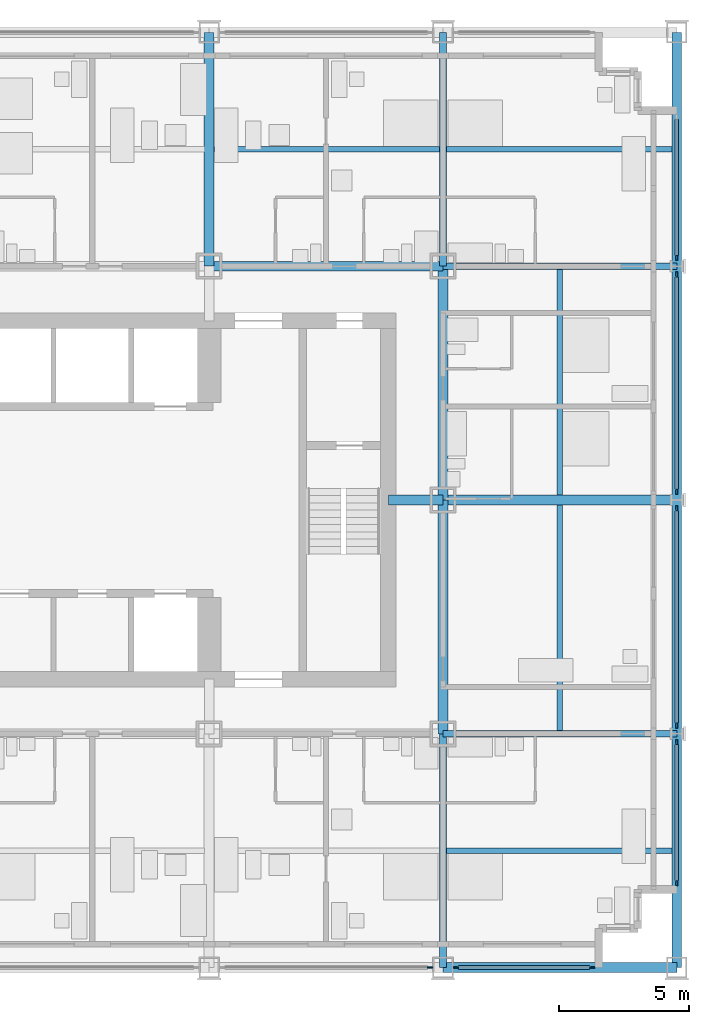
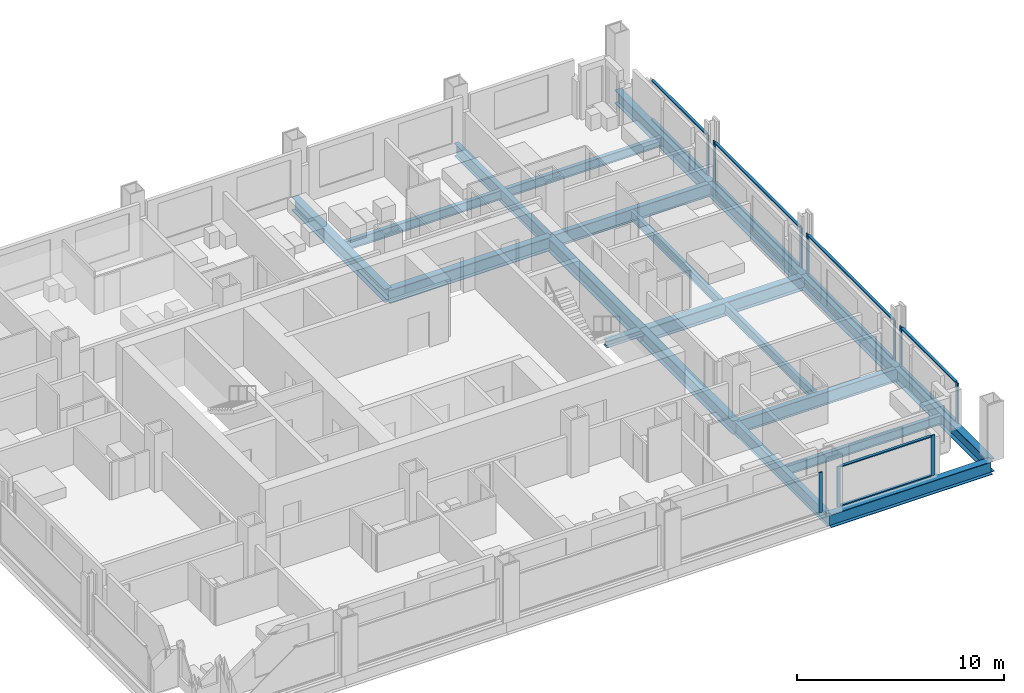
# One storey, part 5 of 17: 21 members, 19 beams, 6 elements without a shape of their own.
"""IFC4 building model written with IfcOpenShell, lengths in metres."""

from ifc_helpers import new_model, si_unit, direction, frame, origin, origin_2d, place, context, subcontext, project, spatial, rectangle, i_section, extrude, material, material_profile, profile_set, type_object, element, aggregate, save


model = new_model("IFC4")

# Units and contexts
model_context = context("Model", 3, precision=1e-05, world=origin(), true_north=direction((0.0, 1.0)))
body_context = subcontext(model_context, "Body", "Model", "MODEL_VIEW")
ifc_project = project(units=[si_unit("LENGTHUNIT", "METRE"), si_unit("AREAUNIT", "SQUARE_METRE"), si_unit("VOLUMEUNIT", "CUBIC_METRE"), si_unit("PLANEANGLEUNIT", "RADIAN"), si_unit("MASSUNIT", "GRAM", prefix="KILO")], contexts=[model_context])

# Site, building, storey
site_placement = place(None, origin())
site = spatial("IfcSite", under=ifc_project, at=site_placement, CompositionType="ELEMENT")
building_placement = place(site_placement, origin())
building = spatial("IfcBuilding", under=site, at=building_placement, Name="Loomwork Tower", CompositionType="ELEMENT")
storey_placement = place(building_placement, frame((0.0, 0.0, 152.0)))
storey = spatial("IfcBuildingStorey", under=building, at=storey_placement, Name="L41", CompositionType="ELEMENT", Elevation=152.0)

# Beams
ifc_material_1 = material(Name="Steel ASTM A992", Category="steel")
ifc_material_profile_1 = material_profile(ifc_material_1, i_section(OverallWidth=0.383544921875, OverallDepth=0.794921875, WebThickness=0.02099609375, FlangeThickness=0.0380859375, at=origin_2d()), Name="W30x235")
ifc_profile_set_1 = profile_set([ifc_material_profile_1], Name="Steel ASTM A992")
beam_type_1 = type_object("IfcBeamType", Name="CORE FLANK GIRDER W30x235", PredefinedType="BEAM", material=ifc_profile_set_1)
for number, where, z_axis, x_axis, name in (
    (1, (36.0, 18.0, -0.597412109375), (1.0, 0.0, 0.0), (0.0, 1.0, 0.0), "Core Flank Girder F/6-F/7 L41"),
    (2, (27.0, 27.0, -0.597412109375), (1.0, 0.0, 0.0), (0.0, 1.0, 0.0), "Core Flank Girder G/5-G/6 L41"),
    (3, (27.0, 27.0, -0.597412109375), (0.0, 1.0, 0.0), (-1.0, 0.0, 0.0), "Core Flank Girder G/5-H/5 L41"),
    (4, (36.0, 9.0, -0.597412109375), (0.0, 1.0, 0.0), (-1.0, 0.0, 0.0), "Core Flank Girder E/6-F/6 L41"),
    (5, (36.0, 18.0, -0.597412109375), (0.0, 1.0, 0.0), (-1.0, 0.0, 0.0), "Core Flank Girder F/6-G/6 L41"),
):
    element("IfcBeam", number, at=place(storey_placement, frame(where, z_axis=z_axis, x_axis=x_axis)), inside=storey, type_object=beam_type_1, Name=name, PredefinedType="BEAM", context=body_context, shape_type="SweptSolid", body=[
        extrude(i_section(OverallWidth=0.383544921875, OverallDepth=0.794921875, WebThickness=0.02099609375, FlangeThickness=0.0380859375, at=origin_2d()), origin(), (0.0, 0.0, 1.0), 9.0),
    ])

# Member
ifc_material_2 = material(Name="Steel ASTM A992", Category="steel")
ifc_material_profile_2 = material_profile(ifc_material_2, i_section(OverallWidth=0.373291015625, OverallDepth=0.373291015625, WebThickness=0.016357421875, FlangeThickness=0.026123046875, at=origin_2d()), Name="W14x132")
ifc_profile_set_2 = profile_set([ifc_material_profile_2], Name="Steel ASTM A992")
member_type_1 = type_object("IfcMemberType", Name="CORE LINK STRUT W14x132", PredefinedType="STRUT", material=ifc_profile_set_2)
member_1_placement = place(storey_placement, frame((36.0, 18.0, -0.38671875), z_axis=(-1.0, 0.0, 0.0), x_axis=(0.0, -1.0, 0.0)))
element("IfcMember", 6, at=member_1_placement, inside=storey, type_object=member_type_1, Name="Core link strut F/6-33.900,18.000 L41", PredefinedType="STRUT", context=body_context, shape_type="SweptSolid", body=[
    extrude(i_section(OverallWidth=0.373291015625, OverallDepth=0.373291015625, WebThickness=0.016357421875, FlangeThickness=0.026123046875, at=origin_2d()), origin(), (0.0, 0.0, 1.0), 2.10009765625),
])

# Beams
ifc_material_3 = material(Name="Steel ASTM A992", Category="steel")
ifc_material_profile_3 = material_profile(ifc_material_3, i_section(OverallWidth=0.2666015625, OverallDepth=0.761962890625, WebThickness=0.014404296875, FlangeThickness=0.021484375, at=origin_2d()), Name="W30x116")
ifc_profile_set_3 = profile_set([ifc_material_profile_3], Name="Steel ASTM A992")
beam_type_2 = type_object("IfcBeamType", Name="FLOOR GIRDER W30x116", PredefinedType="BEAM", material=ifc_profile_set_3)
for number, where, z_axis, x_axis, name in (
    (7, (36.0, 9.0, -0.5810546875), (1.0, 0.0, 0.0), (0.0, 1.0, 0.0), "Floor Girder E/6-E/7 L41"),
    (8, (36.0, 27.0, -0.5810546875), (1.0, 0.0, 0.0), (0.0, 1.0, 0.0), "Floor Girder G/6-G/7 L41"),
    (9, (36.0, 0.0, -0.5810546875), (0.0, 1.0, 0.0), (-1.0, 0.0, 0.0), "Floor Girder D/6-E/6 L41"),
    (10, (36.0, 27.0, -0.5810546875), (0.0, 1.0, 0.0), (-1.0, 0.0, 0.0), "Floor Girder G/6-H/6 L41"),
):
    element("IfcBeam", number, at=place(storey_placement, frame(where, z_axis=z_axis, x_axis=x_axis)), inside=storey, type_object=beam_type_2, Name=name, PredefinedType="BEAM", context=body_context, shape_type="SweptSolid", body=[
        extrude(i_section(OverallWidth=0.2666015625, OverallDepth=0.761962890625, WebThickness=0.014404296875, FlangeThickness=0.021484375, at=origin_2d()), origin(), (0.0, 0.0, 1.0), 9.0),
    ])
ifc_material_4 = material(Name="Steel ASTM A992", Category="steel")
ifc_material_profile_4 = material_profile(ifc_material_4, i_section(OverallWidth=0.2109375, OverallDepth=0.53857421875, WebThickness=0.011474609375, FlangeThickness=0.018798828125, at=origin_2d()), Name="W21x73")
ifc_profile_set_4 = profile_set([ifc_material_profile_4], Name="Steel ASTM A992")
beam_type_3 = type_object("IfcBeamType", Name="FLOOR JOIST W21x73", PredefinedType="JOIST", material=ifc_profile_set_4)
beam_1_placement = place(storey_placement, frame((27.19091796875, 31.5, -0.46923828125), z_axis=(1.0, 0.0, 0.0), x_axis=(0.0, 1.0, 0.0)))
element("IfcBeam", 11, at=beam_1_placement, inside=storey, type_object=beam_type_3, Name="Floor Joist 27.000,31.500-36.000,31.500 L41", PredefinedType="JOIST", context=body_context, shape_type="SweptSolid", body=[
    extrude(i_section(OverallWidth=0.2109375, OverallDepth=0.53857421875, WebThickness=0.011474609375, FlangeThickness=0.018798828125, at=origin_2d()), origin(), (0.0, 0.0, 1.0), 8.676025390625),
])
beam_2_placement = place(storey_placement, frame((36.133056640625, 4.5, -0.46923828125), z_axis=(1.0, 0.0, 0.0), x_axis=(0.0, 1.0, 0.0)))
element("IfcBeam", 12, at=beam_2_placement, inside=storey, type_object=beam_type_3, Name="Floor Joist 36.000,4.500-45.000,4.500 L41", PredefinedType="JOIST", context=body_context, shape_type="SweptSolid", body=[
    extrude(i_section(OverallWidth=0.2109375, OverallDepth=0.53857421875, WebThickness=0.011474609375, FlangeThickness=0.018798828125, at=origin_2d()), origin(), (0.0, 0.0, 1.0), 8.677001953125),
])
for number, where, z_axis, x_axis, name in (
    (13, (40.5, 9.133056640625, -0.46923828125), (0.0, 1.0, 0.0), (-1.0, 0.0, 0.0), "Floor Joist 40.500,9.000-40.500,18.000 L41"),
    (14, (40.5, 18.19091796875, -0.46923828125), (0.0, 1.0, 0.0), (-1.0, 0.0, 0.0), "Floor Joist 40.500,18.000-40.500,27.000 L41"),
):
    element("IfcBeam", number, at=place(storey_placement, frame(where, z_axis=z_axis, x_axis=x_axis)), inside=storey, type_object=beam_type_3, Name=name, PredefinedType="JOIST", context=body_context, shape_type="SweptSolid", body=[
        extrude(i_section(OverallWidth=0.2109375, OverallDepth=0.53857421875, WebThickness=0.011474609375, FlangeThickness=0.018798828125, at=origin_2d()), origin(), (0.0, 0.0, 1.0), 8.676025390625),
    ])
beam_3_placement = place(storey_placement, frame((36.133056640625, 31.5, -0.46923828125), z_axis=(1.0, 0.0, 0.0), x_axis=(0.0, 1.0, 0.0)))
element("IfcBeam", 15, at=beam_3_placement, inside=storey, type_object=beam_type_3, Name="Floor Joist 36.000,31.500-45.000,31.500 L41", PredefinedType="JOIST", context=body_context, shape_type="SweptSolid", body=[
    extrude(i_section(OverallWidth=0.2109375, OverallDepth=0.53857421875, WebThickness=0.011474609375, FlangeThickness=0.018798828125, at=origin_2d()), origin(), (0.0, 0.0, 1.0), 8.677001953125),
])

# Curtain wall, member
ifc_material_5 = material(Name="Aluminium curtain wall frame", Category="aluminium")
curtain_wall_type = type_object("IfcCurtainWallType", Name="Outer skin glazing hotel", PredefinedType="NOTDEFINED", material=ifc_material_5)
curtain_wall_1_placement = place(storey_placement, origin())
curtain_wall_1 = element("IfcCurtainWall", 16, at=curtain_wall_1_placement, inside=storey, type_object=curtain_wall_type, Name="Outer skin glazing hotel cw/S-27", PredefinedType="NOTDEFINED")
ifc_material_6 = material(Name="Aluminium curtain wall frame", Category="aluminium")
ifc_material_profile_5 = material_profile(ifc_material_6, rectangle(XDim=0.06494140625, YDim=0.199951171875, at=origin_2d()), Name="AL 65x200")
ifc_profile_set_5 = profile_set([ifc_material_profile_5], Name="Aluminium curtain wall frame")
member_type_2 = type_object("IfcMemberType", Name="Outer skin glazing hotel mullion", PredefinedType="MULLION", material=ifc_profile_set_5)
member_2_placement = place(storey_placement, frame((35.5, 0.0, 0.0), z_axis=(0.0, 0.0, 1.0), x_axis=(0.0, 1.0, 0.0)))
member_2 = element("IfcMember", 17, at=member_2_placement, type_object=member_type_2, Name="CW1 mullion 2", PredefinedType="MULLION", context=body_context, shape_type="SweptSolid", body=[
    extrude(rectangle(XDim=0.06494140625, YDim=0.199951171875, at=origin_2d()), origin(), (0.0, 0.0, 1.0), 2.3701171875),
])
aggregate(curtain_wall_1, [member_2])

# Curtain wall, members
curtain_wall_2_placement = place(storey_placement, origin())
curtain_wall_2 = element("IfcCurtainWall", 18, at=curtain_wall_2_placement, inside=storey, type_object=curtain_wall_type, Name="Outer skin glazing hotel cw/S-36", PredefinedType="NOTDEFINED")
member_3_placement = place(storey_placement, frame((36.5, 0.0, 0.0), z_axis=(0.0, 0.0, 1.0), x_axis=(0.0, 1.0, 0.0)))
member_3 = element("IfcMember", 19, at=member_3_placement, type_object=member_type_2, Name="CW1 mullion 1", PredefinedType="MULLION", context=body_context, shape_type="SweptSolid", body=[
    extrude(rectangle(XDim=0.06494140625, YDim=0.199951171875, at=origin_2d()), origin(), (0.0, 0.0, 1.0), 2.3701171875),
])
member_4_placement = place(storey_placement, frame((41.75, 0.0, 0.0), z_axis=(0.0, 0.0, 1.0), x_axis=(0.0, 1.0, 0.0)))
member_4 = element("IfcMember", 20, at=member_4_placement, type_object=member_type_2, Name="CW1 mullion 2", PredefinedType="MULLION", context=body_context, shape_type="SweptSolid", body=[
    extrude(rectangle(XDim=0.06494140625, YDim=0.199951171875, at=origin_2d()), origin(), (0.0, 0.0, 1.0), 2.3701171875),
])

curtain_wall_3_placement = place(storey_placement, origin())
curtain_wall_3 = element("IfcCurtainWall", 21, at=curtain_wall_3_placement, inside=storey, type_object=curtain_wall_type, Name="Outer skin glazing hotel cw/E-0", PredefinedType="NOTDEFINED")
member_5_placement = place(storey_placement, frame((45.0, 3.25, 0.0), z_axis=(0.0, 0.0, 1.0), x_axis=(-1.0, 0.0, 0.0)))
member_5 = element("IfcMember", 22, at=member_5_placement, type_object=member_type_2, Name="CW1 mullion 1", PredefinedType="MULLION", context=body_context, shape_type="SweptSolid", body=[
    extrude(rectangle(XDim=0.06494140625, YDim=0.199951171875, at=origin_2d()), origin(), (0.0, 0.0, 1.0), 2.3701171875),
])
member_6_placement = place(storey_placement, frame((45.0, 8.678955078125, 0.0), z_axis=(0.0, 0.0, 1.0), x_axis=(-1.0, 0.0, 0.0)))
member_6 = element("IfcMember", 23, at=member_6_placement, type_object=member_type_2, Name="CW1 mullion 2", PredefinedType="MULLION", context=body_context, shape_type="SweptSolid", body=[
    extrude(rectangle(XDim=0.06494140625, YDim=0.199951171875, at=origin_2d()), origin(), (0.0, 0.0, 1.0), 2.3701171875),
])

curtain_wall_4_placement = place(storey_placement, origin())
curtain_wall_4 = element("IfcCurtainWall", 24, at=curtain_wall_4_placement, inside=storey, type_object=curtain_wall_type, Name="Outer skin glazing hotel cw/E-9", PredefinedType="NOTDEFINED")
member_7_placement = place(storey_placement, frame((45.0, 9.321044921875, 0.0), z_axis=(0.0, 0.0, 1.0), x_axis=(-1.0, 0.0, 0.0)))
member_7 = element("IfcMember", 25, at=member_7_placement, type_object=member_type_2, Name="CW1 mullion 1", PredefinedType="MULLION", context=body_context, shape_type="SweptSolid", body=[
    extrude(rectangle(XDim=0.06494140625, YDim=0.199951171875, at=origin_2d()), origin(), (0.0, 0.0, 1.0), 2.3701171875),
])
member_8_placement = place(storey_placement, frame((45.0, 17.678955078125, 0.0), z_axis=(0.0, 0.0, 1.0), x_axis=(-1.0, 0.0, 0.0)))
member_8 = element("IfcMember", 26, at=member_8_placement, type_object=member_type_2, Name="CW1 mullion 2", PredefinedType="MULLION", context=body_context, shape_type="SweptSolid", body=[
    extrude(rectangle(XDim=0.06494140625, YDim=0.199951171875, at=origin_2d()), origin(), (0.0, 0.0, 1.0), 2.3701171875),
])

curtain_wall_5_placement = place(storey_placement, origin())
curtain_wall_5 = element("IfcCurtainWall", 27, at=curtain_wall_5_placement, inside=storey, type_object=curtain_wall_type, Name="Outer skin glazing hotel cw/E-18", PredefinedType="NOTDEFINED")
member_9_placement = place(storey_placement, frame((45.0, 18.321044921875, 0.0), z_axis=(0.0, 0.0, 1.0), x_axis=(-1.0, 0.0, 0.0)))
member_9 = element("IfcMember", 28, at=member_9_placement, type_object=member_type_2, Name="CW1 mullion 1", PredefinedType="MULLION", context=body_context, shape_type="SweptSolid", body=[
    extrude(rectangle(XDim=0.06494140625, YDim=0.199951171875, at=origin_2d()), origin(), (0.0, 0.0, 1.0), 2.3701171875),
])
member_10_placement = place(storey_placement, frame((45.0, 26.678955078125, 0.0), z_axis=(0.0, 0.0, 1.0), x_axis=(-1.0, 0.0, 0.0)))
member_10 = element("IfcMember", 29, at=member_10_placement, type_object=member_type_2, Name="CW1 mullion 2", PredefinedType="MULLION", context=body_context, shape_type="SweptSolid", body=[
    extrude(rectangle(XDim=0.06494140625, YDim=0.199951171875, at=origin_2d()), origin(), (0.0, 0.0, 1.0), 2.3701171875),
])

# Curtain wall, member
curtain_wall_6_placement = place(storey_placement, origin())
curtain_wall_6 = element("IfcCurtainWall", 30, at=curtain_wall_6_placement, inside=storey, type_object=curtain_wall_type, Name="Outer skin glazing hotel cw/E-27", PredefinedType="NOTDEFINED")
member_11_placement = place(storey_placement, frame((45.0, 27.321044921875, 0.0), z_axis=(0.0, 0.0, 1.0), x_axis=(-1.0, 0.0, 0.0)))
member_11 = element("IfcMember", 31, at=member_11_placement, type_object=member_type_2, Name="CW1 mullion 1", PredefinedType="MULLION", context=body_context, shape_type="SweptSolid", body=[
    extrude(rectangle(XDim=0.06494140625, YDim=0.199951171875, at=origin_2d()), origin(), (0.0, 0.0, 1.0), 2.3701171875),
])

# Member
ifc_material_7 = material(Name="Aluminium curtain wall frame", Category="aluminium")
ifc_material_profile_6 = material_profile(ifc_material_7, rectangle(XDim=0.14990234375, YDim=0.06494140625, at=origin_2d()), Name="AL 65x150")
ifc_profile_set_6 = profile_set([ifc_material_profile_6], Name="Aluminium curtain wall frame")
member_type_3 = type_object("IfcMemberType", Name="Outer skin glazing hotel transom", PredefinedType="USERDEFINED", material=ifc_profile_set_6)
member_12_placement = place(storey_placement, frame((36.60009765625, 0.0, 0.032470703125), z_axis=(1.0, 0.0, 0.0), x_axis=(0.0, 1.0, 0.0)))
member_12 = element("IfcMember", 32, at=member_12_placement, type_object=member_type_3, Name="CW1 transom 1.1", ObjectType="TRANSOM", PredefinedType="USERDEFINED", context=body_context, shape_type="SweptSolid", body=[
    extrude(rectangle(XDim=0.14990234375, YDim=0.06494140625, at=origin_2d()), origin(), (0.0, 0.0, 1.0), 5.0498046875),
])

member_13_placement = place(storey_placement, frame((36.60009765625, 0.0, 2.337646484375), z_axis=(1.0, 0.0, 0.0), x_axis=(0.0, 1.0, 0.0)))
member_13 = element("IfcMember", 33, at=member_13_placement, type_object=member_type_3, Name="CW1 transom 1.2", ObjectType="TRANSOM", PredefinedType="USERDEFINED", context=body_context, shape_type="SweptSolid", body=[
    extrude(rectangle(XDim=0.14990234375, YDim=0.06494140625, at=origin_2d()), origin(), (0.0, 0.0, 1.0), 5.0498046875),
])

aggregate(curtain_wall_2, [member_3, member_4, member_12, member_13])

member_14_placement = place(storey_placement, frame((45.0, 3.35009765625, 0.032470703125), z_axis=(0.0, 1.0, 0.0), x_axis=(-1.0, 0.0, 0.0)))
member_14 = element("IfcMember", 34, at=member_14_placement, type_object=member_type_3, Name="CW1 transom 1.1", ObjectType="TRANSOM", PredefinedType="USERDEFINED", context=body_context, shape_type="SweptSolid", body=[
    extrude(rectangle(XDim=0.14990234375, YDim=0.06494140625, at=origin_2d()), origin(), (0.0, 0.0, 1.0), 5.22900390625),
])

member_15_placement = place(storey_placement, frame((45.0, 3.35009765625, 2.337646484375), z_axis=(0.0, 1.0, 0.0), x_axis=(-1.0, 0.0, 0.0)))
member_15 = element("IfcMember", 35, at=member_15_placement, type_object=member_type_3, Name="CW1 transom 1.2", ObjectType="TRANSOM", PredefinedType="USERDEFINED", context=body_context, shape_type="SweptSolid", body=[
    extrude(rectangle(XDim=0.14990234375, YDim=0.06494140625, at=origin_2d()), origin(), (0.0, 0.0, 1.0), 5.22900390625),
])

aggregate(curtain_wall_3, [member_5, member_6, member_14, member_15])

member_16_placement = place(storey_placement, frame((45.0, 9.4208984375, 0.032470703125), z_axis=(0.0, 1.0, 0.0), x_axis=(-1.0, 0.0, 0.0)))
member_16 = element("IfcMember", 36, at=member_16_placement, type_object=member_type_3, Name="CW1 transom 1.1", ObjectType="TRANSOM", PredefinedType="USERDEFINED", context=body_context, shape_type="SweptSolid", body=[
    extrude(rectangle(XDim=0.14990234375, YDim=0.06494140625, at=origin_2d()), origin(), (0.0, 0.0, 1.0), 8.158203125),
])

member_17_placement = place(storey_placement, frame((45.0, 9.4208984375, 2.337646484375), z_axis=(0.0, 1.0, 0.0), x_axis=(-1.0, 0.0, 0.0)))
member_17 = element("IfcMember", 37, at=member_17_placement, type_object=member_type_3, Name="CW1 transom 1.2", ObjectType="TRANSOM", PredefinedType="USERDEFINED", context=body_context, shape_type="SweptSolid", body=[
    extrude(rectangle(XDim=0.14990234375, YDim=0.06494140625, at=origin_2d()), origin(), (0.0, 0.0, 1.0), 8.158203125),
])

aggregate(curtain_wall_4, [member_7, member_8, member_16, member_17])

member_18_placement = place(storey_placement, frame((45.0, 18.4208984375, 0.032470703125), z_axis=(0.0, 1.0, 0.0), x_axis=(-1.0, 0.0, 0.0)))
member_18 = element("IfcMember", 38, at=member_18_placement, type_object=member_type_3, Name="CW1 transom 1.1", ObjectType="TRANSOM", PredefinedType="USERDEFINED", context=body_context, shape_type="SweptSolid", body=[
    extrude(rectangle(XDim=0.14990234375, YDim=0.06494140625, at=origin_2d()), origin(), (0.0, 0.0, 1.0), 8.158203125),
])

member_19_placement = place(storey_placement, frame((45.0, 18.4208984375, 2.337646484375), z_axis=(0.0, 1.0, 0.0), x_axis=(-1.0, 0.0, 0.0)))
member_19 = element("IfcMember", 39, at=member_19_placement, type_object=member_type_3, Name="CW1 transom 1.2", ObjectType="TRANSOM", PredefinedType="USERDEFINED", context=body_context, shape_type="SweptSolid", body=[
    extrude(rectangle(XDim=0.14990234375, YDim=0.06494140625, at=origin_2d()), origin(), (0.0, 0.0, 1.0), 8.158203125),
])

aggregate(curtain_wall_5, [member_9, member_10, member_18, member_19])

member_20_placement = place(storey_placement, frame((45.0, 27.4208984375, 0.032470703125), z_axis=(0.0, 1.0, 0.0), x_axis=(-1.0, 0.0, 0.0)))
member_20 = element("IfcMember", 40, at=member_20_placement, type_object=member_type_3, Name="CW1 transom 1.1", ObjectType="TRANSOM", PredefinedType="USERDEFINED", context=body_context, shape_type="SweptSolid", body=[
    extrude(rectangle(XDim=0.14990234375, YDim=0.06494140625, at=origin_2d()), origin(), (0.0, 0.0, 1.0), 5.22900390625),
])

member_21_placement = place(storey_placement, frame((45.0, 27.4208984375, 2.337646484375), z_axis=(0.0, 1.0, 0.0), x_axis=(-1.0, 0.0, 0.0)))
member_21 = element("IfcMember", 41, at=member_21_placement, type_object=member_type_3, Name="CW1 transom 1.2", ObjectType="TRANSOM", PredefinedType="USERDEFINED", context=body_context, shape_type="SweptSolid", body=[
    extrude(rectangle(XDim=0.14990234375, YDim=0.06494140625, at=origin_2d()), origin(), (0.0, 0.0, 1.0), 5.22900390625),
])

aggregate(curtain_wall_6, [member_11, member_20, member_21])

# Beams
ifc_material_8 = material(Name="Steel ASTM A992", Category="steel")
ifc_material_profile_7 = material_profile(ifc_material_8, i_section(OverallWidth=0.381103515625, OverallDepth=0.77978515625, WebThickness=0.01806640625, FlangeThickness=0.0302734375, at=origin_2d()), Name="W30x191")
ifc_profile_set_7 = profile_set([ifc_material_profile_7], Name="Steel ASTM A992")
beam_type_4 = type_object("IfcBeamType", Name="SPANDREL GIRDER W30x191", PredefinedType="SPANDREL", material=ifc_profile_set_7)
for number, where, z_axis, x_axis, name in (
    (42, (36.0, 0.0, -0.58984375), (1.0, 0.0, 0.0), (0.0, 1.0, 0.0), "Spandrel Girder D/6-D/7 L41"),
    (43, (45.0, 0.0, -0.58984375), (0.0, 1.0, 0.0), (-1.0, 0.0, 0.0), "Spandrel Girder D/7-E/7 L41"),
    (44, (45.0, 9.0, -0.58984375), (0.0, 1.0, 0.0), (-1.0, 0.0, 0.0), "Spandrel Girder E/7-F/7 L41"),
    (45, (45.0, 18.0, -0.58984375), (0.0, 1.0, 0.0), (-1.0, 0.0, 0.0), "Spandrel Girder F/7-G/7 L41"),
    (46, (45.0, 27.0, -0.58984375), (0.0, 1.0, 0.0), (-1.0, 0.0, 0.0), "Spandrel Girder G/7-H/7 L41"),
):
    element("IfcBeam", number, at=place(storey_placement, frame(where, z_axis=z_axis, x_axis=x_axis)), inside=storey, type_object=beam_type_4, Name=name, PredefinedType="SPANDREL", context=body_context, shape_type="SweptSolid", body=[
        extrude(i_section(OverallWidth=0.381103515625, OverallDepth=0.77978515625, WebThickness=0.01806640625, FlangeThickness=0.0302734375, at=origin_2d()), origin(), (0.0, 0.0, 1.0), 9.0),
    ])

save(model, "model.ifc")
